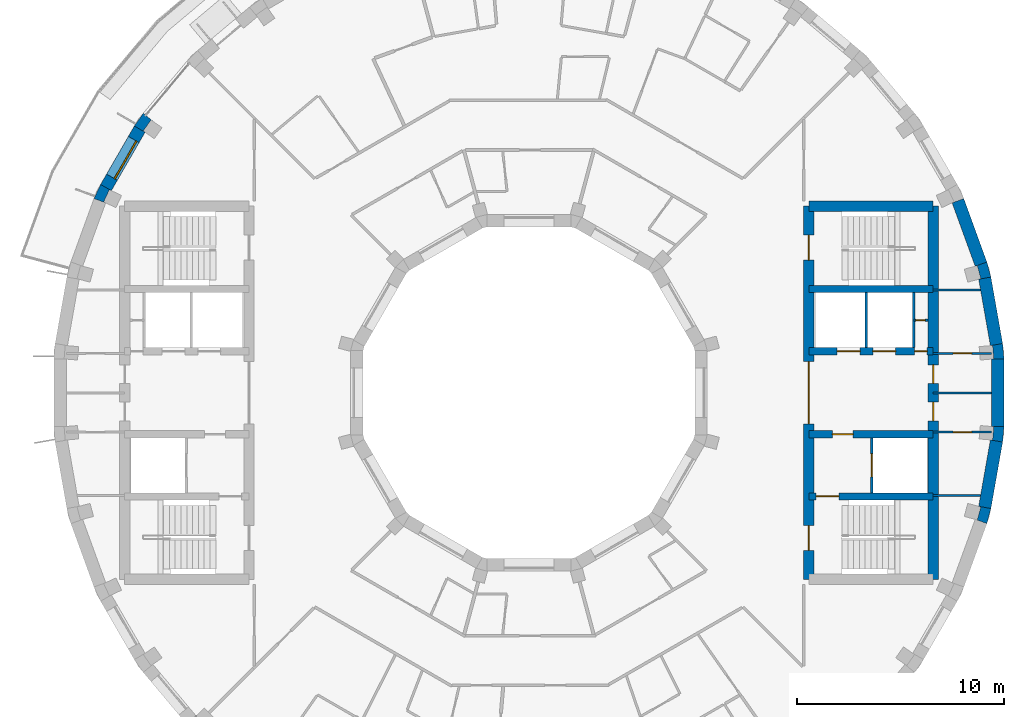
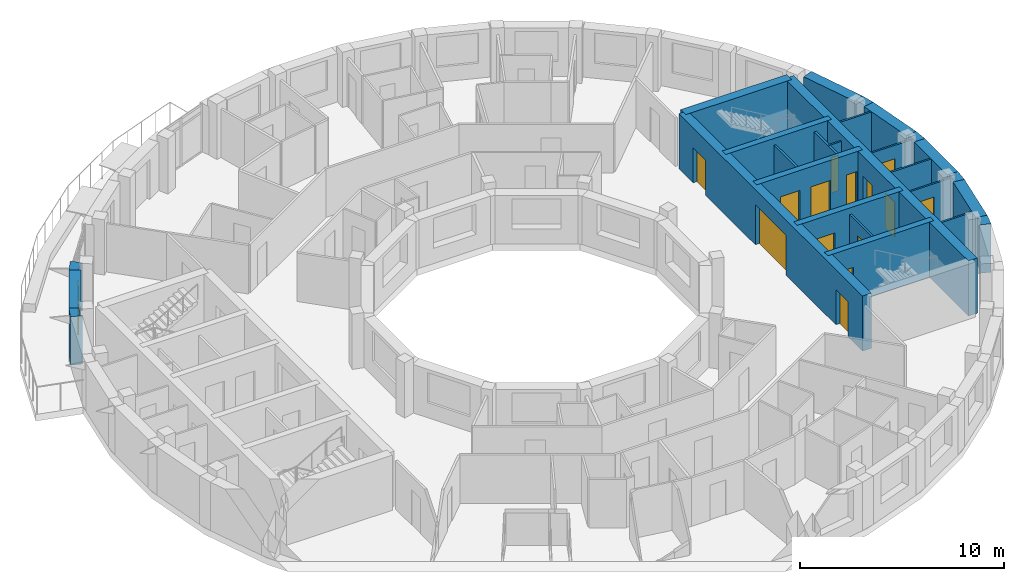
# One storey, part 8 of 12: 27 walls, 14 doors, 1 window, 15 openings.
"""IFC4 building model written with IfcOpenShell, lengths in metres."""

from ifc_helpers import new_model, si_unit, direction, frame, frame_2d, origin, place, context, subcontext, project, spatial, polyline, rectangle, outline, extrude, material, layer, layer_set, type_object, element, fill, save


model = new_model("IFC4")

# Units and contexts
model_context = context("Model", 3, precision=1e-05, world=origin(), true_north=direction((0.0, 1.0)))
body_context = subcontext(model_context, "Body", "Model", "MODEL_VIEW")
ifc_project = project(units=[si_unit("LENGTHUNIT", "METRE"), si_unit("AREAUNIT", "SQUARE_METRE"), si_unit("VOLUMEUNIT", "CUBIC_METRE"), si_unit("PLANEANGLEUNIT", "RADIAN"), si_unit("MASSUNIT", "GRAM", prefix="KILO")], contexts=[model_context])

# Site, building, storey
site_placement = place(None, origin())
site = spatial("IfcSite", under=ifc_project, at=site_placement, CompositionType="ELEMENT")
building_placement = place(site_placement, origin())
building = spatial("IfcBuilding", under=site, at=building_placement, Name="Saqina Gate Tower", CompositionType="ELEMENT")
storey_placement = place(building_placement, frame((0.0, 0.0, 236.300048828125)))
storey = spatial("IfcBuildingStorey", under=building, at=storey_placement, Name="L67", CompositionType="ELEMENT", Elevation=236.300048828125)

# Walls
ifc_material_1 = material(Name="Brick masonry (buff)", Category="masonry")
wall_type_1 = type_object("IfcWallType", Name="BRICK PIER COPING BUFF", PredefinedType="SOLIDWALL", material=ifc_material_1)
wall_1_placement = place(storey_placement, origin())
element("IfcWall", 1, at=wall_1_placement, inside=storey, type_object=wall_type_1, Name="Pier cap L67 column 1", PredefinedType="SOLIDWALL", context=body_context, shape_type="SweptSolid", body=[
    extrude(outline(polyline([(22.91259765625, 1.625732421875), (22.8466796875, 2.377685546875), (22.255859375, 2.2734375), (22.361083984375, 2.28271484375), (22.417724609375, 1.635009765625), (22.3125, 1.625732421875), (22.91259765625, 1.625732421875)])), origin(), (0.0, 0.0, 1.0), 2.89990234375),
])
wall_2_placement = place(storey_placement, origin())
element("IfcWall", 2, at=wall_2_placement, inside=storey, type_object=wall_type_1, Name="Pier cap L67 column 2", PredefinedType="SOLIDWALL", context=body_context, shape_type="SweptSolid", body=[
    extrude(outline(polyline([(22.0869140625, 6.30859375), (21.52294921875, 6.103515625), (21.625, 6.130859375), (21.793212890625, 5.5029296875), (21.691162109375, 5.4755859375), (22.281982421875, 5.579833984375), (22.0869140625, 6.30859375)])), origin(), (0.0, 0.0, 1.0), 2.89990234375),
])
wall_3_placement = place(storey_placement, origin())
element("IfcWall", 3, at=wall_3_placement, inside=storey, type_object=wall_type_1, Name="Pier cap L67 column 15", PredefinedType="SOLIDWALL", context=body_context, shape_type="SweptSolid", body=[
    extrude(outline(polyline([(-19.02978515625, 12.8642578125), (-18.51025390625, 12.564208984375), (-18.596923828125, 12.625), (-18.22412109375, 13.157470703125), (-18.137451171875, 13.0966796875), (-18.59716796875, 13.482421875), (-19.02978515625, 12.8642578125)])), origin(), (0.0, 0.0, 1.0), 2.89990234375),
])
wall_4_placement = place(storey_placement, origin())
element("IfcWall", 4, at=wall_4_placement, inside=storey, type_object=wall_type_1, Name="Pier cap L67 column 16", PredefinedType="SOLIDWALL", context=body_context, shape_type="SweptSolid", body=[
    extrude(outline(polyline([(-20.65576171875, 10.048095703125), (-20.974609375, 9.3642578125), (-20.410888671875, 9.1591796875), (-20.506591796875, 9.203857421875), (-20.23193359375, 9.79296875), (-20.135986328125, 9.748291015625), (-20.65576171875, 10.048095703125)])), origin(), (0.0, 0.0, 1.0), 2.89990234375),
])
wall_5_placement = place(storey_placement, origin())
element("IfcWall", 5, at=wall_5_placement, inside=storey, type_object=wall_type_1, Name="Pier cap L67 column 35", PredefinedType="SOLIDWALL", context=body_context, shape_type="SweptSolid", body=[
    extrude(outline(polyline([(22.281982421875, -5.579833984375), (21.691162109375, -5.4755859375), (21.793212890625, -5.5029296875), (21.625, -6.130859375), (21.52294921875, -6.103515625), (22.0869140625, -6.30859375), (22.281982421875, -5.579833984375)])), origin(), (0.0, 0.0, 1.0), 2.89990234375),
])
wall_6_placement = place(storey_placement, origin())
element("IfcWall", 6, at=wall_6_placement, inside=storey, type_object=wall_type_1, Name="Pier cap L67 column 36", PredefinedType="SOLIDWALL", context=body_context, shape_type="SweptSolid", body=[
    extrude(outline(polyline([(22.8466796875, -2.377685546875), (22.91259765625, -1.625732421875), (22.3125, -1.625732421875), (22.417724609375, -1.635009765625), (22.361083984375, -2.28271484375), (22.255859375, -2.2734375), (22.8466796875, -2.377685546875)])), origin(), (0.0, 0.0, 1.0), 2.89990234375),
])

# Wall, opening, door
ifc_material_2 = material(Name="Gypsum board on steel studs", Category="steel")
ifc_layer_1 = layer(ifc_material_2, 0.10009765625)
ifc_layer_set_1 = layer_set([ifc_layer_1], Name="CORE PARTITION")
wall_type_2 = type_object("IfcWallType", Name="CORE PARTITION", PredefinedType="PARTITIONING", material=ifc_layer_set_1)
wall_7_placement = place(storey_placement, frame((18.56005859375, 3.5, 0.0), z_axis=(0.0, 0.0, 1.0), x_axis=(1.0, 0.0, 0.0)))
wall_7 = element("IfcWall", 7, at=wall_7_placement, inside=storey, type_object=wall_type_2, Name="L67-CP-E01", PredefinedType="PARTITIONING", context=body_context, shape_type="SweptSolid", body=[
    extrude(rectangle(XDim=0.68994140625, YDim=0.10009765625, at=frame_2d((0.344970703125, 0.0))), origin(), (0.0, 0.0, 1.0), 2.89990234375),
])
opening_1_placement = place(wall_7_placement, frame((0.10009765625, 0.0, 0.0)))
opening_1 = element("IfcOpeningElement", 8, at=opening_1_placement, cuts=wall_7, Name="Opening G19-D96", PredefinedType="OPENING", context=body_context, shape_type="SweptSolid", body=[
    extrude(rectangle(XDim=0.449951171875, YDim=2.10009765625, at=frame_2d((0.22509765625, 1.050048828125))), frame((0.0, 0.06201171875, 0.0), z_axis=(0.0, -1.0, 0.0), x_axis=(1.0, 0.0, 0.0)), (0.0, 0.0, 1.0), 0.1240234375),
])
ifc_material_3 = material(Name="Steel-framed fire door leaf, EI 60", Category="steel")
door_type_1 = type_object("IfcDoorType", Name="SERVICE ROOM DOOR 450", OperationType="SINGLE_SWING_LEFT", PredefinedType="DOOR", material=ifc_material_3)
door_1_placement = place(opening_1_placement, origin())
door_1 = element("IfcDoor", 9, at=door_1_placement, inside=storey, type_object=door_type_1, Name="L67-CD-E07", OperationType="SINGLE_SWING_RIGHT", OverallHeight=2.10009765625, OverallWidth=0.449951171875, PredefinedType="DOOR", context=body_context, shape_type="SweptSolid", body=[
    extrude(rectangle(XDim=0.449951171875, YDim=2.10009765625, at=frame_2d((0.22509765625, 1.050048828125))), frame((0.0, 0.02490234375, 0.0), z_axis=(0.0, -1.0, 0.0), x_axis=(1.0, 0.0, 0.0)), (0.0, 0.0, 1.0), 0.050048828125),
])
fill(opening_1, door_1)

# Wall
wall_8_placement = place(storey_placement, frame((19.5, 4.949951171875, 0.0), z_axis=(0.0, 0.0, 1.0), x_axis=(1.0, 0.0, 0.0)))
element("IfcWall", 10, at=wall_8_placement, inside=storey, type_object=wall_type_2, Name="L67-CP-E02", PredefinedType="PARTITIONING", context=body_context, shape_type="SweptSolid", body=[
    extrude(rectangle(XDim=2.283935546875, YDim=0.10009765625, at=frame_2d((1.14208984375, 0.0))), origin(), (0.0, 0.0, 1.0), 2.89990234375),
])

# Wall, opening, door
wall_9_placement = place(storey_placement, frame((19.5, 1.89990234375, 0.0), z_axis=(0.0, 0.0, 1.0), x_axis=(1.0, 0.0, 0.0)))
wall_9 = element("IfcWall", 11, at=wall_9_placement, inside=storey, type_object=wall_type_2, Name="L67-CP-E03", PredefinedType="PARTITIONING", context=body_context, shape_type="SweptSolid", body=[
    extrude(rectangle(XDim=2.8125, YDim=0.10009765625, at=frame_2d((1.40625, 0.0))), origin(), (0.0, 0.0, 1.0), 2.89990234375),
])
opening_2_placement = place(wall_9_placement, frame((0.956298828125, 0.0, 0.0)))
opening_2 = element("IfcOpeningElement", 12, at=opening_2_placement, cuts=wall_9, Name="Opening G19-D92", PredefinedType="OPENING", context=body_context, shape_type="SweptSolid", body=[
    extrude(rectangle(XDim=0.89990234375, YDim=2.10009765625, at=frame_2d((0.449951171875, 1.050048828125))), frame((0.0, 0.06201171875, 0.0), z_axis=(0.0, -1.0, 0.0), x_axis=(1.0, 0.0, 0.0)), (0.0, 0.0, 1.0), 0.1240234375),
])
ifc_material_4 = material(Name="Steel-framed fire door leaf, EI 60", Category="steel")
door_type_2 = type_object("IfcDoorType", Name="SERVICE ROOM DOOR 900", OperationType="SINGLE_SWING_LEFT", PredefinedType="DOOR", material=ifc_material_4)
door_2_placement = place(opening_2_placement, origin())
door_2 = element("IfcDoor", 13, at=door_2_placement, inside=storey, type_object=door_type_2, Name="L67-CD-E03", OperationType="SINGLE_SWING_RIGHT", OverallHeight=2.10009765625, OverallWidth=0.89990234375, PredefinedType="DOOR", context=body_context, shape_type="SweptSolid", body=[
    extrude(rectangle(XDim=0.89990234375, YDim=2.10009765625, at=frame_2d((0.449951171875, 1.050048828125))), frame((0.0, 0.02490234375, 0.0), z_axis=(0.0, -1.0, 0.0), x_axis=(1.0, 0.0, 0.0)), (0.0, 0.0, 1.0), 0.050048828125),
])
fill(opening_2, door_2)

# Wall
wall_10_placement = place(storey_placement, frame((19.5, -4.949951171875, 0.0), z_axis=(0.0, 0.0, 1.0), x_axis=(1.0, 0.0, 0.0)))
element("IfcWall", 14, at=wall_10_placement, inside=storey, type_object=wall_type_2, Name="L67-CP-E04", PredefinedType="PARTITIONING", context=body_context, shape_type="SweptSolid", body=[
    extrude(rectangle(XDim=2.283935546875, YDim=0.10009765625, at=frame_2d((1.14208984375, 0.0))), origin(), (0.0, 0.0, 1.0), 2.89990234375),
])

# Wall, opening, door
wall_11_placement = place(storey_placement, frame((19.5, -1.89990234375, 0.0), z_axis=(0.0, 0.0, 1.0), x_axis=(1.0, 0.0, 0.0)))
wall_11 = element("IfcWall", 15, at=wall_11_placement, inside=storey, type_object=wall_type_2, Name="L67-CP-E05", PredefinedType="PARTITIONING", context=body_context, shape_type="SweptSolid", body=[
    extrude(rectangle(XDim=2.8125, YDim=0.10009765625, at=frame_2d((1.40625, 0.0))), origin(), (0.0, 0.0, 1.0), 2.89990234375),
])
opening_3_placement = place(wall_11_placement, frame((0.956298828125, 0.0, 0.0)))
opening_3 = element("IfcOpeningElement", 16, at=opening_3_placement, cuts=wall_11, Name="Opening G19-D94", PredefinedType="OPENING", context=body_context, shape_type="SweptSolid", body=[
    extrude(rectangle(XDim=0.89990234375, YDim=2.10009765625, at=frame_2d((0.449951171875, 1.050048828125))), frame((0.0, 0.06201171875, 0.0), z_axis=(0.0, -1.0, 0.0), x_axis=(1.0, 0.0, 0.0)), (0.0, 0.0, 1.0), 0.1240234375),
])
door_3_placement = place(opening_3_placement, frame((0.89990234375, 0.0, 0.0), z_axis=(0.0, 0.0, 1.0), x_axis=(-1.0, 0.0, 0.0)))
door_3 = element("IfcDoor", 17, at=door_3_placement, inside=storey, type_object=door_type_2, Name="L67-CD-E05", OperationType="SINGLE_SWING_LEFT", OverallHeight=2.10009765625, OverallWidth=0.89990234375, PredefinedType="DOOR", context=body_context, shape_type="SweptSolid", body=[
    extrude(rectangle(XDim=0.89990234375, YDim=2.10009765625, at=frame_2d((0.449951171875, 1.050048828125))), frame((0.0, 0.02490234375, 0.0), z_axis=(0.0, -1.0, 0.0), x_axis=(1.0, 0.0, 0.0)), (0.0, 0.0, 1.0), 0.050048828125),
])
fill(opening_3, door_3)

# Wall
wall_12_placement = place(storey_placement, frame((19.5, 0.0, 0.0), z_axis=(0.0, 0.0, 1.0), x_axis=(1.0, 0.0, 0.0)))
element("IfcWall", 18, at=wall_12_placement, inside=storey, type_object=wall_type_2, Name="L67-CP-E06", PredefinedType="PARTITIONING", context=body_context, shape_type="SweptSolid", body=[
    extrude(rectangle(XDim=2.8125, YDim=0.10009765625, at=frame_2d((1.40625, 0.0))), origin(), (0.0, 0.0, 1.0), 2.89990234375),
])

# Wall, opening, window
ifc_material_5 = material(Name="Brick masonry (buff)", Category="masonry")
ifc_layer_2 = layer(ifc_material_5, 0.60009765625)
ifc_layer_set_2 = layer_set([ifc_layer_2], Name="FW-BRICK-BUFF")
wall_type_3 = type_object("IfcWallType", Name="FW-BRICK-BUFF", PredefinedType="SOLIDWALL", material=ifc_layer_set_2)
wall_13_placement = place(storey_placement, frame((-18.77001953125, 12.71435546875, 0.0), z_axis=(0.0, 0.0, 1.0), x_axis=(-0.500014901547, -0.866016800201, 0.0)))
wall_13 = element("IfcWall", 19, at=wall_13_placement, inside=storey, type_object=wall_type_3, Name="Facade wall L67 facet 15", PredefinedType="SOLIDWALL", context=body_context, shape_type="SweptSolid", body=[
    extrude(rectangle(XDim=3.251953125, YDim=0.60009765625, at=frame_2d((1.6259765625, 0.0))), origin(), (0.0, 0.0, 1.0), 2.89990234375),
])
opening_4_placement = place(wall_13_placement, frame((0.57568359375, 0.0, 0.89990234375)))
opening_4 = element("IfcOpeningElement", 20, at=opening_4_placement, cuts=wall_13, Name="Opening G19-W09", PredefinedType="OPENING", context=body_context, shape_type="SweptSolid", body=[
    extrude(rectangle(XDim=2.10009765625, YDim=1.800048828125, at=frame_2d((1.050048828125, 0.89990234375))), frame((0.0, 0.31201171875, 0.0), z_axis=(0.0, -1.0, 0.0), x_axis=(1.0, 0.0, 0.0)), (0.0, 0.0, 1.0), 0.6240234375),
])
ifc_material_6 = material(Name="Aluminium glazing", Category="aluminium")
window_type = type_object("IfcWindowType", Name="WN-D", PartitioningType="SINGLE_PANEL", PredefinedType="WINDOW", material=ifc_material_6)
window_placement = place(opening_4_placement, origin())
window = element("IfcWindow", 21, at=window_placement, inside=storey, type_object=window_type, Name="Window L67 facet 15", OverallHeight=1.800048828125, OverallWidth=2.10009765625, PartitioningType="SINGLE_PANEL", PredefinedType="WINDOW", context=body_context, shape_type="SweptSolid", body=[
    extrude(rectangle(XDim=2.10009765625, YDim=1.800048828125, at=frame_2d((1.050048828125, 0.89990234375))), frame((0.0, 0.179931640625, 0.0), z_axis=(0.0, -1.0, 0.0), x_axis=(1.0, 0.0, 0.0)), (0.0, 0.0, 1.0), 0.06005859375),
])
fill(opening_4, window)

# Walls
ifc_material_7 = material(Name="Glazed ceramic tile", Category="ceramic")
ifc_layer_3 = layer(ifc_material_7, 0.60009765625)
ifc_layer_set_3 = layer_set([ifc_layer_3], Name="FW-TILE")
wall_type_4 = type_object("IfcWallType", Name="FW-TILE", PredefinedType="SOLIDWALL", material=ifc_layer_set_3)
wall_14_placement = place(storey_placement, frame((21.804931640625, 6.2060546875, 0.0), z_axis=(0.0, 0.0, 1.0), x_axis=(-0.342056509473, 0.939679383794, 0.0)))
element("IfcWall", 22, at=wall_14_placement, inside=storey, type_object=wall_type_4, Name="Facade wall L67 facet 2", PredefinedType="SOLIDWALL", context=body_context, shape_type="SweptSolid", body=[
    extrude(rectangle(XDim=3.251708984375, YDim=0.60009765625, at=frame_2d((1.6259765625, 0.0))), origin(), (0.0, 0.0, 1.0), 2.89990234375),
])
wall_15_placement = place(storey_placement, frame((22.612548828125, -1.625732421875, 0.0), z_axis=(0.0, 0.0, 1.0), x_axis=(0.0, 1.0, 0.0)))
element("IfcWall", 23, at=wall_15_placement, inside=storey, type_object=wall_type_4, Name="Facade wall L67 facet 36", PredefinedType="SOLIDWALL", context=body_context, shape_type="SweptSolid", body=[
    extrude(rectangle(XDim=3.25146484375, YDim=0.60009765625, at=frame_2d((1.625732421875, 0.0))), origin(), (0.0, 0.0, 1.0), 2.89990234375),
])
ifc_material_8 = material(Name="Glazed ceramic tile (dark blue)", Category="ceramic")
ifc_layer_4 = layer(ifc_material_8, 0.60009765625)
ifc_layer_set_4 = layer_set([ifc_layer_4], Name="FW-TILE-CB")
wall_type_5 = type_object("IfcWallType", Name="FW-TILE-CB", PredefinedType="SOLIDWALL", material=ifc_layer_set_4)
wall_16_placement = place(storey_placement, frame((21.986572265625, -5.52783203125, 0.0), z_axis=(0.0, 0.0, 1.0), x_axis=(0.173656842178, 0.984806225186, 0.0)))
element("IfcWall", 24, at=wall_16_placement, inside=storey, type_object=wall_type_5, Name="Facade wall L67 facet 35", PredefinedType="SOLIDWALL", context=body_context, shape_type="SweptSolid", body=[
    extrude(rectangle(XDim=3.251708984375, YDim=0.60009765625, at=frame_2d((1.6259765625, 0.0))), origin(), (0.0, 0.0, 1.0), 2.89990234375),
])
ifc_material_9 = material(Name="Glazed ceramic tile (white)", Category="ceramic")
ifc_layer_5 = layer(ifc_material_9, 0.60009765625)
ifc_layer_set_5 = layer_set([ifc_layer_5], Name="FW-TILE-WH")
wall_type_6 = type_object("IfcWallType", Name="FW-TILE-WH", PredefinedType="SOLIDWALL", material=ifc_layer_set_5)
wall_17_placement = place(storey_placement, frame((22.55126953125, 2.325439453125, 0.0), z_axis=(0.0, 0.0, 1.0), x_axis=(-0.173656842178, 0.984806225186, 0.0)))
element("IfcWall", 25, at=wall_17_placement, inside=storey, type_object=wall_type_6, Name="Facade wall L67 facet 1", PredefinedType="SOLIDWALL", context=body_context, shape_type="SweptSolid", body=[
    extrude(rectangle(XDim=3.251708984375, YDim=0.60009765625, at=frame_2d((1.6259765625, 0.0))), origin(), (0.0, 0.0, 1.0), 2.89990234375),
])
ifc_material_10 = material(Name="Autoclaved aerated concrete block", Category="concrete")
ifc_layer_6 = layer(ifc_material_10, 0.1201171875)
ifc_layer_set_6 = layer_set([ifc_layer_6], Name="SHAFT PARTITION")
wall_type_7 = type_object("IfcWallType", Name="SHAFT PARTITION", PredefinedType="PARTITIONING", material=ifc_layer_set_6)
for number, where, z_axis, x_axis, name in (
    (26, (16.280029296875, 2.175048828125, 0.0), (0.0, 0.0, 1.0), (0.0, 1.0, 0.0), "L67-CP-E07"),
    (27, (18.56005859375, 2.175048828125, 0.0), (0.0, 0.0, 1.0), (0.0, 1.0, 0.0), "L67-CP-E08"),
):
    element("IfcWall", number, at=place(storey_placement, frame(where, z_axis=z_axis, x_axis=x_axis)), inside=storey, type_object=wall_type_7, Name=name, PredefinedType="PARTITIONING", context=body_context, shape_type="SweptSolid", body=[
        extrude(rectangle(XDim=2.64990234375, YDim=0.1201171875, at=frame_2d((1.324951171875, 0.0))), origin(), (0.0, 0.0, 1.0), 2.89990234375),
    ])

# Wall, opening, door
wall_18_placement = place(storey_placement, frame((16.530029296875, -4.824951171875, 0.0), z_axis=(0.0, 0.0, 1.0), x_axis=(0.0, 1.0, 0.0)))
wall_18 = element("IfcWall", 28, at=wall_18_placement, inside=storey, type_object=wall_type_7, Name="L67-CP-E09", PredefinedType="PARTITIONING", context=body_context, shape_type="SweptSolid", body=[
    extrude(rectangle(XDim=2.64990234375, YDim=0.1201171875, at=frame_2d((1.324951171875, 0.0))), origin(), (0.0, 0.0, 1.0), 2.89990234375),
])
opening_5_placement = place(wall_18_placement, frame((0.77490234375, 0.0, 0.0)))
opening_5 = element("IfcOpeningElement", 29, at=opening_5_placement, cuts=wall_18, Name="Opening G19-LD3", PredefinedType="OPENING", context=body_context, shape_type="SweptSolid", body=[
    extrude(rectangle(XDim=1.10009765625, YDim=2.10009765625, at=frame_2d((0.550048828125, 1.050048828125))), frame((0.0, 0.072021484375, 0.0), z_axis=(0.0, -1.0, 0.0), x_axis=(1.0, 0.0, 0.0)), (0.0, 0.0, 1.0), 0.14404296875),
])
ifc_material_11 = material(Name="Stainless steel", Category="steel")
door_type_3 = type_object("IfcDoorType", Name="LANDING DOOR", OperationType="DOUBLE_DOOR_SLIDING", PredefinedType="DOOR", material=ifc_material_11)
door_4_placement = place(opening_5_placement, origin())
door_4 = element("IfcDoor", 30, at=door_4_placement, inside=storey, type_object=door_type_3, Name="LANDING DOOR FF1", OperationType="DOUBLE_DOOR_SLIDING", OverallHeight=2.10009765625, OverallWidth=1.10009765625, PredefinedType="DOOR", context=body_context, shape_type="SweptSolid", body=[
    extrude(rectangle(XDim=1.10009765625, YDim=2.10009765625, at=frame_2d((0.550048828125, 1.050048828125))), frame((0.0, 0.02490234375, 0.0), z_axis=(0.0, -1.0, 0.0), x_axis=(1.0, 0.0, 0.0)), (0.0, 0.0, 1.0), 0.050048828125),
])
fill(opening_5, door_4)

# Wall
ifc_material_12 = material(Name="Concrete C60/75", Category="concrete")
ifc_layer_7 = layer(ifc_material_12, 0.35009765625)
ifc_layer_set_7 = layer_set([ifc_layer_7], Name="Concrete C60/75")
wall_type_8 = type_object("IfcWallType", Name="STR-CORE WALL-D-I", PredefinedType="SHEAR", material=ifc_layer_set_7)
wall_19_placement = place(storey_placement, frame((13.5, 5.0, 0.0), z_axis=(0.0, 0.0, 1.0), x_axis=(1.0, 0.0, 0.0)))
element("IfcWall", 31, at=wall_19_placement, inside=storey, type_object=wall_type_8, Name="CORE WALL L67 E-X1", PredefinedType="SHEAR", context=body_context, shape_type="SweptSolid", body=[
    extrude(rectangle(XDim=6.0, YDim=0.35009765625, at=frame_2d((3.0, 0.0))), origin(), (0.0, 0.0, 1.0), 3.300048828125),
])

# Wall, opening, door
wall_20_placement = place(storey_placement, frame((13.5, -5.0, 0.0), z_axis=(0.0, 0.0, 1.0), x_axis=(1.0, 0.0, 0.0)))
wall_20 = element("IfcWall", 32, at=wall_20_placement, inside=storey, type_object=wall_type_8, Name="CORE WALL L67 E-X2", PredefinedType="SHEAR", context=body_context, shape_type="SweptSolid", body=[
    extrude(rectangle(XDim=6.0, YDim=0.35009765625, at=frame_2d((3.0, 0.0))), origin(), (0.0, 0.0, 1.0), 3.300048828125),
])
opening_6_placement = place(wall_20_placement, frame((0.35009765625, 0.0, 0.0)))
opening_6 = element("IfcOpeningElement", 33, at=opening_6_placement, cuts=wall_20, Name="Opening G19-D97", PredefinedType="OPENING", context=body_context, shape_type="SweptSolid", body=[
    extrude(rectangle(XDim=1.10009765625, YDim=2.10009765625, at=frame_2d((0.550048828125, 1.050048828125))), frame((0.0, 0.18701171875, 0.0), z_axis=(0.0, -1.0, 0.0), x_axis=(1.0, 0.0, 0.0)), (0.0, 0.0, 1.0), 0.3740234375),
])
ifc_material_13 = material(Name="Steel", Category="steel")
door_type_4 = type_object("IfcDoorType", Name="FIRE LOBBY DOOR EI 60 WIDE", OperationType="SINGLE_SWING_LEFT", PredefinedType="DOOR", material=ifc_material_13)
door_5_placement = place(opening_6_placement, frame((1.10009765625, 0.0, 0.0), z_axis=(0.0, 0.0, 1.0), x_axis=(-1.0, 0.0, 0.0)))
door_5 = element("IfcDoor", 34, at=door_5_placement, inside=storey, type_object=door_type_4, Name="L67-CD-E08", OperationType="SINGLE_SWING_RIGHT", OverallHeight=2.10009765625, OverallWidth=1.10009765625, PredefinedType="DOOR", context=body_context, shape_type="SweptSolid", body=[
    extrude(rectangle(XDim=1.10009765625, YDim=2.10009765625, at=frame_2d((0.550048828125, 1.050048828125))), frame((0.0, 0.02490234375, 0.0), z_axis=(0.0, -1.0, 0.0), x_axis=(1.0, 0.0, 0.0)), (0.0, 0.0, 1.0), 0.050048828125),
])
fill(opening_6, door_5)

# Wall, openings, doors
wall_21_placement = place(storey_placement, frame((13.5, 2.0, 0.0), z_axis=(0.0, 0.0, 1.0), x_axis=(1.0, 0.0, 0.0)))
wall_21 = element("IfcWall", 35, at=wall_21_placement, inside=storey, type_object=wall_type_8, Name="CORE WALL L67 E-L1", PredefinedType="SHEAR", context=body_context, shape_type="SweptSolid", body=[
    extrude(rectangle(XDim=6.0, YDim=0.35009765625, at=frame_2d((3.0, 0.0))), origin(), (0.0, 0.0, 1.0), 3.300048828125),
])
opening_7_placement = place(wall_21_placement, frame((1.3701171875, 0.0, 0.0)))
opening_7 = element("IfcOpeningElement", 36, at=opening_7_placement, cuts=wall_21, Name="Opening G19-LD1", PredefinedType="OPENING", context=body_context, shape_type="SweptSolid", body=[
    extrude(rectangle(XDim=1.10009765625, YDim=2.10009765625, at=frame_2d((0.550048828125, 1.050048828125))), frame((0.0, 0.18701171875, 0.0), z_axis=(0.0, -1.0, 0.0), x_axis=(1.0, 0.0, 0.0)), (0.0, 0.0, 1.0), 0.3740234375),
])
opening_8_placement = place(wall_21_placement, frame((3.090087890625, 0.0, 0.0)))
opening_8 = element("IfcOpeningElement", 37, at=opening_8_placement, cuts=wall_21, Name="Opening G19-LD2", PredefinedType="OPENING", context=body_context, shape_type="SweptSolid", body=[
    extrude(rectangle(XDim=1.10009765625, YDim=2.10009765625, at=frame_2d((0.550048828125, 1.050048828125))), frame((0.0, 0.18701171875, 0.0), z_axis=(0.0, -1.0, 0.0), x_axis=(1.0, 0.0, 0.0)), (0.0, 0.0, 1.0), 0.3740234375),
])
opening_9_placement = place(wall_21_placement, frame((5.10498046875, 0.0, 0.0)))
opening_9 = element("IfcOpeningElement", 38, at=opening_9_placement, cuts=wall_21, Name="Opening G19-D90", PredefinedType="OPENING", context=body_context, shape_type="SweptSolid", body=[
    extrude(rectangle(XDim=0.60009765625, YDim=2.10009765625, at=frame_2d((0.300048828125, 1.050048828125))), frame((0.0, 0.18701171875, 0.0), z_axis=(0.0, -1.0, 0.0), x_axis=(1.0, 0.0, 0.0)), (0.0, 0.0, 1.0), 0.3740234375),
])
door_6_placement = place(opening_7_placement, origin())
door_6 = element("IfcDoor", 39, at=door_6_placement, inside=storey, type_object=door_type_3, Name="LANDING DOOR HR1", OperationType="DOUBLE_DOOR_SLIDING", OverallHeight=2.10009765625, OverallWidth=1.10009765625, PredefinedType="DOOR", context=body_context, shape_type="SweptSolid", body=[
    extrude(rectangle(XDim=1.10009765625, YDim=2.10009765625, at=frame_2d((0.550048828125, 1.050048828125))), frame((0.0, 0.02490234375, 0.0), z_axis=(0.0, -1.0, 0.0), x_axis=(1.0, 0.0, 0.0)), (0.0, 0.0, 1.0), 0.050048828125),
])
fill(opening_7, door_6)
door_7_placement = place(opening_8_placement, origin())
door_7 = element("IfcDoor", 40, at=door_7_placement, inside=storey, type_object=door_type_3, Name="LANDING DOOR HR2", OperationType="DOUBLE_DOOR_SLIDING", OverallHeight=2.10009765625, OverallWidth=1.10009765625, PredefinedType="DOOR", context=body_context, shape_type="SweptSolid", body=[
    extrude(rectangle(XDim=1.10009765625, YDim=2.10009765625, at=frame_2d((0.550048828125, 1.050048828125))), frame((0.0, 0.02490234375, 0.0), z_axis=(0.0, -1.0, 0.0), x_axis=(1.0, 0.0, 0.0)), (0.0, 0.0, 1.0), 0.050048828125),
])
fill(opening_8, door_7)
ifc_material_14 = material(Name="Steel-framed fire door leaf, EI 60", Category="steel")
door_type_5 = type_object("IfcDoorType", Name="SERVICE ROOM DOOR 600", OperationType="SINGLE_SWING_LEFT", PredefinedType="DOOR", material=ifc_material_14)
door_8_placement = place(opening_9_placement, origin())
door_8 = element("IfcDoor", 41, at=door_8_placement, inside=storey, type_object=door_type_5, Name="L67-CD-E01", OperationType="SINGLE_SWING_RIGHT", OverallHeight=2.10009765625, OverallWidth=0.60009765625, PredefinedType="DOOR", context=body_context, shape_type="SweptSolid", body=[
    extrude(rectangle(XDim=0.60009765625, YDim=2.10009765625, at=frame_2d((0.300048828125, 1.050048828125))), frame((0.0, 0.02490234375, 0.0), z_axis=(0.0, -1.0, 0.0), x_axis=(1.0, 0.0, 0.0)), (0.0, 0.0, 1.0), 0.050048828125),
])
fill(opening_9, door_8)

# Wall, opening, door
wall_22_placement = place(storey_placement, frame((13.5, -2.0, 0.0), z_axis=(0.0, 0.0, 1.0), x_axis=(1.0, 0.0, 0.0)))
wall_22 = element("IfcWall", 42, at=wall_22_placement, inside=storey, type_object=wall_type_8, Name="CORE WALL L67 E-L2", PredefinedType="SHEAR", context=body_context, shape_type="SweptSolid", body=[
    extrude(rectangle(XDim=6.0, YDim=0.35009765625, at=frame_2d((3.0, 0.0))), origin(), (0.0, 0.0, 1.0), 3.300048828125),
])
opening_10_placement = place(wall_22_placement, frame((1.139892578125, 0.0, 0.0)))
opening_10 = element("IfcOpeningElement", 43, at=opening_10_placement, cuts=wall_22, Name="Opening G19-D91", PredefinedType="OPENING", context=body_context, shape_type="SweptSolid", body=[
    extrude(rectangle(XDim=1.0, YDim=2.10009765625, at=frame_2d((0.5, 1.050048828125))), frame((0.0, 0.18701171875, 0.0), z_axis=(0.0, -1.0, 0.0), x_axis=(1.0, 0.0, 0.0)), (0.0, 0.0, 1.0), 0.3740234375),
])
ifc_material_15 = material(Name="Steel", Category="steel")
door_type_6 = type_object("IfcDoorType", Name="FIRE LOBBY DOOR EI 60", OperationType="SINGLE_SWING_LEFT", PredefinedType="DOOR", material=ifc_material_15)
door_9_placement = place(opening_10_placement, origin())
door_9 = element("IfcDoor", 44, at=door_9_placement, inside=storey, type_object=door_type_6, Name="L67-CD-E02", OperationType="SINGLE_SWING_LEFT", OverallHeight=2.10009765625, OverallWidth=1.0, PredefinedType="DOOR", context=body_context, shape_type="SweptSolid", body=[
    extrude(rectangle(XDim=1.0, YDim=2.10009765625, at=frame_2d((0.5, 1.050048828125))), frame((0.0, 0.02490234375, 0.0), z_axis=(0.0, -1.0, 0.0), x_axis=(1.0, 0.0, 0.0)), (0.0, 0.0, 1.0), 0.050048828125),
])
fill(opening_10, door_9)

# Wall, openings, doors
ifc_material_16 = material(Name="Concrete C60/75", Category="concrete")
ifc_layer_8 = layer(ifc_material_16, 0.5)
ifc_layer_set_8 = layer_set([ifc_layer_8], Name="Concrete C60/75")
wall_type_9 = type_object("IfcWallType", Name="STR-CORE WALL-D-O", PredefinedType="SHEAR", material=ifc_layer_set_8)
wall_23_placement = place(storey_placement, frame((13.5, -9.0, 0.0), z_axis=(0.0, 0.0, 1.0), x_axis=(0.0, 1.0, 0.0)))
wall_23 = element("IfcWall", 45, at=wall_23_placement, inside=storey, type_object=wall_type_9, Name="CORE WALL L67 E-W1", PredefinedType="SHEAR", context=body_context, shape_type="SweptSolid", body=[
    extrude(rectangle(XDim=18.0, YDim=0.5, at=frame_2d((9.0, 0.0))), origin(), (0.0, 0.0, 1.0), 3.300048828125),
])
opening_11_placement = place(wall_23_placement, frame((15.39990234375, 0.0, 0.0)))
opening_11 = element("IfcOpeningElement", 46, at=opening_11_placement, cuts=wall_23, Name="Opening G19-D98", PredefinedType="OPENING", context=body_context, shape_type="SweptSolid", body=[
    extrude(rectangle(XDim=1.199951171875, YDim=2.10009765625, at=frame_2d((0.60009765625, 1.050048828125))), frame((0.0, 0.261962890625, 0.0), z_axis=(0.0, -1.0, 0.0), x_axis=(1.0, 0.0, 0.0)), (0.0, 0.0, 1.0), 0.52392578125),
])
opening_12_placement = place(wall_23_placement, frame((1.39990234375, 0.0, 0.0)))
opening_12 = element("IfcOpeningElement", 47, at=opening_12_placement, cuts=wall_23, Name="Opening G19-D99", PredefinedType="OPENING", context=body_context, shape_type="SweptSolid", body=[
    extrude(rectangle(XDim=1.199951171875, YDim=2.10009765625, at=frame_2d((0.60009765625, 1.050048828125))), frame((0.0, 0.261962890625, 0.0), z_axis=(0.0, -1.0, 0.0), x_axis=(1.0, 0.0, 0.0)), (0.0, 0.0, 1.0), 0.52392578125),
])
opening_13_placement = place(wall_23_placement, frame((7.5, 0.0, 0.0)))
opening_13 = element("IfcOpeningElement", 48, at=opening_13_placement, cuts=wall_23, Name="Opening G19-D100", PredefinedType="OPENING", context=body_context, shape_type="SweptSolid", body=[
    extrude(rectangle(XDim=3.0, YDim=2.39990234375, at=frame_2d((1.5, 1.199951171875))), frame((0.0, 0.261962890625, 0.0), z_axis=(0.0, -1.0, 0.0), x_axis=(1.0, 0.0, 0.0)), (0.0, 0.0, 1.0), 0.52392578125),
])
ifc_material_17 = material(Name="Steel", Category="steel")
door_type_7 = type_object("IfcDoorType", Name="FIRE DOOR EI 60", OperationType="SINGLE_SWING_LEFT", PredefinedType="DOOR", material=ifc_material_17)
door_10_placement = place(opening_11_placement, frame((1.199951171875, 0.0, 0.0), z_axis=(0.0, 0.0, 1.0), x_axis=(-1.0, 0.0, 0.0)))
door_10 = element("IfcDoor", 49, at=door_10_placement, inside=storey, type_object=door_type_7, Name="L67-CD-E09", OperationType="SINGLE_SWING_LEFT", OverallHeight=2.10009765625, OverallWidth=1.199951171875, PredefinedType="DOOR", context=body_context, shape_type="SweptSolid", body=[
    extrude(rectangle(XDim=1.199951171875, YDim=2.10009765625, at=frame_2d((0.60009765625, 1.050048828125))), frame((0.0, 0.02490234375, 0.0), z_axis=(0.0, -1.0, 0.0), x_axis=(1.0, 0.0, 0.0)), (0.0, 0.0, 1.0), 0.050048828125),
])
fill(opening_11, door_10)
door_11_placement = place(opening_12_placement, frame((1.199951171875, 0.0, 0.0), z_axis=(0.0, 0.0, 1.0), x_axis=(-1.0, 0.0, 0.0)))
door_11 = element("IfcDoor", 50, at=door_11_placement, inside=storey, type_object=door_type_7, Name="L67-CD-E10", OperationType="SINGLE_SWING_RIGHT", OverallHeight=2.10009765625, OverallWidth=1.199951171875, PredefinedType="DOOR", context=body_context, shape_type="SweptSolid", body=[
    extrude(rectangle(XDim=1.199951171875, YDim=2.10009765625, at=frame_2d((0.60009765625, 1.050048828125))), frame((0.0, 0.02490234375, 0.0), z_axis=(0.0, -1.0, 0.0), x_axis=(1.0, 0.0, 0.0)), (0.0, 0.0, 1.0), 0.050048828125),
])
fill(opening_12, door_11)
ifc_material_18 = material(Name="Steel and fire-resisting glass", Category="steel")
door_type_8 = type_object("IfcDoorType", Name="LOBBY SCREEN DOOR", OperationType="DOUBLE_DOOR_SLIDING", PredefinedType="DOOR", material=ifc_material_18)
door_12_placement = place(opening_13_placement, origin())
door_12 = element("IfcDoor", 51, at=door_12_placement, inside=storey, type_object=door_type_8, Name="L67-CD-E11", OperationType="DOUBLE_DOOR_SLIDING", OverallHeight=2.39990234375, OverallWidth=3.0, PredefinedType="DOOR", context=body_context, shape_type="SweptSolid", body=[
    extrude(rectangle(XDim=3.0, YDim=2.39990234375, at=frame_2d((1.5, 1.199951171875))), frame((0.0, 0.02490234375, 0.0), z_axis=(0.0, -1.0, 0.0), x_axis=(1.0, 0.0, 0.0)), (0.0, 0.0, 1.0), 0.050048828125),
])
fill(opening_13, door_12)

wall_24_placement = place(storey_placement, frame((19.5, -9.0, 0.0), z_axis=(0.0, 0.0, 1.0), x_axis=(0.0, 1.0, 0.0)))
wall_24 = element("IfcWall", 52, at=wall_24_placement, inside=storey, type_object=wall_type_9, Name="CORE WALL L67 E-W2", PredefinedType="SHEAR", context=body_context, shape_type="SweptSolid", body=[
    extrude(rectangle(XDim=18.0, YDim=0.5, at=frame_2d((9.0, 0.0))), origin(), (0.0, 0.0, 1.0), 3.300048828125),
])
opening_14_placement = place(wall_24_placement, frame((9.449951171875, 0.0, 0.0)))
opening_14 = element("IfcOpeningElement", 53, at=opening_14_placement, cuts=wall_24, Name="Opening G19-D93", PredefinedType="OPENING", context=body_context, shape_type="SweptSolid", body=[
    extrude(rectangle(XDim=0.89990234375, YDim=2.10009765625, at=frame_2d((0.449951171875, 1.050048828125))), frame((0.0, 0.261962890625, 0.0), z_axis=(0.0, -1.0, 0.0), x_axis=(1.0, 0.0, 0.0)), (0.0, 0.0, 1.0), 0.52392578125),
])
opening_15_placement = place(wall_24_placement, frame((7.64990234375, 0.0, 0.0)))
opening_15 = element("IfcOpeningElement", 54, at=opening_15_placement, cuts=wall_24, Name="Opening G19-D95", PredefinedType="OPENING", context=body_context, shape_type="SweptSolid", body=[
    extrude(rectangle(XDim=0.89990234375, YDim=2.10009765625, at=frame_2d((0.449951171875, 1.050048828125))), frame((0.0, 0.261962890625, 0.0), z_axis=(0.0, -1.0, 0.0), x_axis=(1.0, 0.0, 0.0)), (0.0, 0.0, 1.0), 0.52392578125),
])
door_13_placement = place(opening_14_placement, frame((0.89990234375, 0.0, 0.0), z_axis=(0.0, 0.0, 1.0), x_axis=(-1.0, 0.0, 0.0)))
door_13 = element("IfcDoor", 55, at=door_13_placement, inside=storey, type_object=door_type_2, Name="L67-CD-E04", OperationType="SINGLE_SWING_LEFT", OverallHeight=2.10009765625, OverallWidth=0.89990234375, PredefinedType="DOOR", context=body_context, shape_type="SweptSolid", body=[
    extrude(rectangle(XDim=0.89990234375, YDim=2.10009765625, at=frame_2d((0.449951171875, 1.050048828125))), frame((0.0, 0.02490234375, 0.0), z_axis=(0.0, -1.0, 0.0), x_axis=(1.0, 0.0, 0.0)), (0.0, 0.0, 1.0), 0.050048828125),
])
fill(opening_14, door_13)
door_14_placement = place(opening_15_placement, frame((0.89990234375, 0.0, 0.0), z_axis=(0.0, 0.0, 1.0), x_axis=(-1.0, 0.0, 0.0)))
door_14 = element("IfcDoor", 56, at=door_14_placement, inside=storey, type_object=door_type_2, Name="L67-CD-E06", OperationType="SINGLE_SWING_RIGHT", OverallHeight=2.10009765625, OverallWidth=0.89990234375, PredefinedType="DOOR", context=body_context, shape_type="SweptSolid", body=[
    extrude(rectangle(XDim=0.89990234375, YDim=2.10009765625, at=frame_2d((0.449951171875, 1.050048828125))), frame((0.0, 0.02490234375, 0.0), z_axis=(0.0, -1.0, 0.0), x_axis=(1.0, 0.0, 0.0)), (0.0, 0.0, 1.0), 0.050048828125),
])
fill(opening_15, door_14)

# Wall
wall_25_placement = place(storey_placement, frame((13.5, 9.0, 0.0), z_axis=(0.0, 0.0, 1.0), x_axis=(1.0, 0.0, 0.0)))
element("IfcWall", 57, at=wall_25_placement, inside=storey, type_object=wall_type_9, Name="CORE WALL L67 E-NE", PredefinedType="SHEAR", context=body_context, shape_type="SweptSolid", body=[
    extrude(rectangle(XDim=6.0, YDim=0.5, at=frame_2d((3.0, 0.0))), origin(), (0.0, 0.0, 1.0), 3.300048828125),
])

save(model, "model.ifc")
